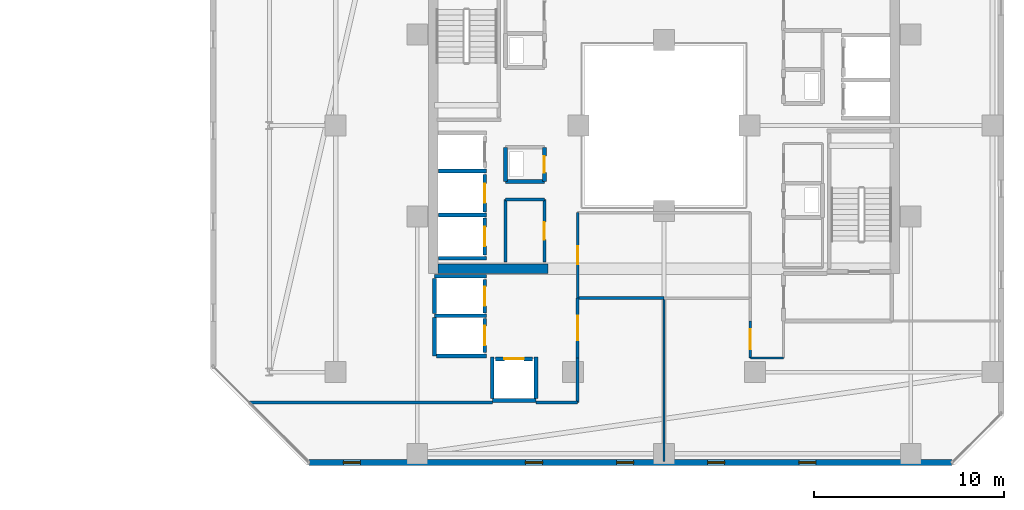
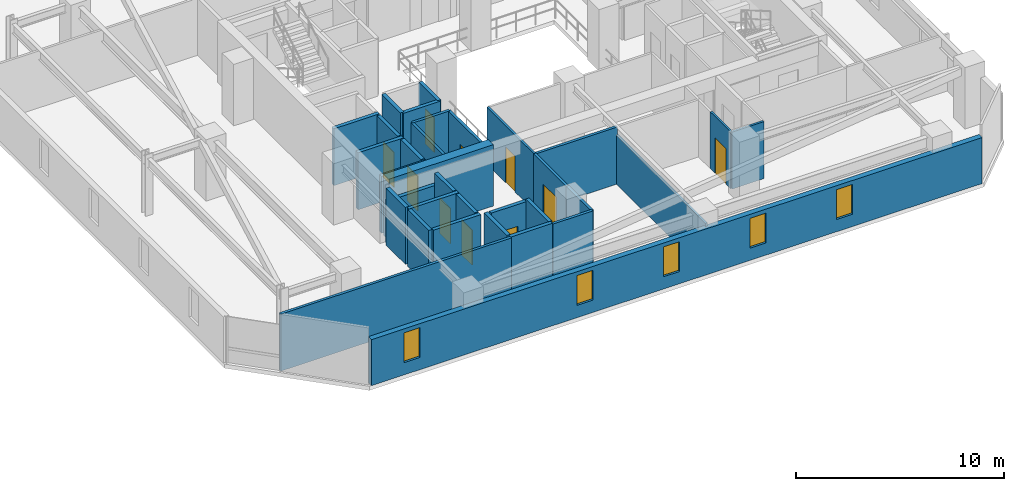
# One storey, part 23 of 33: 33 walls, 10 doors, 5 windows, 15 openings.
"""IFC4 building model written with IfcOpenShell, lengths in metres."""

from ifc_helpers import new_model, si_unit, direction, frame, frame_2d, origin, place, context, subcontext, project, spatial, rectangle, extrude, material, layer, layer_set, type_object, element, fill, save


model = new_model("IFC4")

# Units and contexts
model_context = context("Model", 3, precision=1e-05, world=origin(), true_north=direction((0.0, 1.0)))
body_context = subcontext(model_context, "Body", "Model", "MODEL_VIEW")
ifc_project = project(units=[si_unit("LENGTHUNIT", "METRE"), si_unit("AREAUNIT", "SQUARE_METRE"), si_unit("VOLUMEUNIT", "CUBIC_METRE"), si_unit("PLANEANGLEUNIT", "RADIAN"), si_unit("MASSUNIT", "GRAM", prefix="KILO")], contexts=[model_context])

# Site, building, storey
site_placement = place(None, origin())
site = spatial("IfcSite", under=ifc_project, at=site_placement, CompositionType="ELEMENT")
building_placement = place(site_placement, origin())
building = spatial("IfcBuilding", under=site, at=building_placement, Name="Thornwick Lancets Civic Towers", CompositionType="ELEMENT")
storey_placement = place(building_placement, frame((0.0, 0.0, 189.300048828125)))
storey = spatial("IfcBuildingStorey", under=building, at=storey_placement, Name="L50", CompositionType="ELEMENT", Elevation=189.300048828125)

# Wall, opening, door
ifc_material_1 = material(Name="Concrete blockwork C40/50", Category="masonry")
ifc_layer_1 = layer(ifc_material_1, 0.199951171875, Name="Concrete blockwork C40/50")
ifc_layer_set_1 = layer_set([ifc_layer_1], Name="Concrete blockwork C40/50")
wall_type_1 = type_object("IfcWallType", Name="WALL_COMP_200", PredefinedType="STANDARD", material=ifc_layer_set_1)
wall_1_placement = place(storey_placement, frame((79.050048828125, 22.429931640625, 0.0), z_axis=(0.0, 0.0, 1.0), x_axis=(0.0, 1.0, 0.0)))
wall_1 = element("IfcWall", 1, at=wall_1_placement, inside=storey, type_object=wall_type_1, Name="L50 Hoistway Front Wall PL-BH2", PredefinedType="STANDARD", context=body_context, shape_type="SweptSolid", body=[
    extrude(rectangle(XDim=1.989990234375, YDim=0.199951171875, at=frame_2d((0.9951171875, 0.0))), origin(), (0.0, 0.0, 1.0), 3.33984375),
])
opening_1_placement = place(wall_1_placement, frame((0.485107421875, 0.0, 0.0)))
opening_1 = element("IfcOpeningElement", 2, at=opening_1_placement, cuts=wall_1, Name="Opening LD-PL-BH2", PredefinedType="OPENING", context=body_context, shape_type="SweptSolid", body=[
    extrude(rectangle(XDim=1.02001953125, YDim=2.06005859375, at=frame_2d((0.510009765625, 1.030029296875))), frame((0.0, 0.10986328125, 0.0), z_axis=(0.0, -1.0, 0.0), x_axis=(1.0, 0.0, 0.0)), (0.0, 0.0, 1.0), 0.219970703125),
])
ifc_material_2 = material(Name="Brushed bronze stainless steel", Category="steel")
door_type_1 = type_object("IfcDoorType", Name="DOOR_LIFT_SLIDE", OperationType="SLIDING_TO_LEFT", PredefinedType="DOOR", material=ifc_material_2)
door_1_placement = place(opening_1_placement, origin())
door_1 = element("IfcDoor", 3, at=door_1_placement, inside=storey, type_object=door_type_1, Name="L50 Sliding Lift Landing Door LD-PL-BH2", OperationType="SLIDING_TO_LEFT", OverallHeight=2.06005859375, OverallWidth=1.02001953125, PredefinedType="DOOR", context=body_context, shape_type="SweptSolid", body=[
    extrude(rectangle(XDim=1.02001953125, YDim=2.06005859375, at=frame_2d((0.510009765625, 1.030029296875))), frame((0.0, 0.02490234375, 0.0), z_axis=(0.0, -1.0, 0.0), x_axis=(1.0, 0.0, 0.0)), (0.0, 0.0, 1.0), 0.050048828125),
])
fill(opening_1, door_1)

wall_2_placement = place(storey_placement, frame((79.050048828125, 20.179931640625, 0.0), z_axis=(0.0, 0.0, 1.0), x_axis=(0.0, 1.0, 0.0)))
wall_2 = element("IfcWall", 4, at=wall_2_placement, inside=storey, type_object=wall_type_1, Name="L50 Hoistway Front Wall PL-BH3", PredefinedType="STANDARD", context=body_context, shape_type="SweptSolid", body=[
    extrude(rectangle(XDim=1.940185546875, YDim=0.199951171875, at=frame_2d((0.97021484375, 0.0))), origin(), (0.0, 0.0, 1.0), 3.33984375),
])
opening_2_placement = place(wall_2_placement, frame((0.4599609375, 0.0, 0.0)))
opening_2 = element("IfcOpeningElement", 5, at=opening_2_placement, cuts=wall_2, Name="Opening LD-PL-BH3", PredefinedType="OPENING", context=body_context, shape_type="SweptSolid", body=[
    extrude(rectangle(XDim=1.02001953125, YDim=2.06005859375, at=frame_2d((0.510009765625, 1.030029296875))), frame((0.0, 0.10986328125, 0.0), z_axis=(0.0, -1.0, 0.0), x_axis=(1.0, 0.0, 0.0)), (0.0, 0.0, 1.0), 0.219970703125),
])
door_2_placement = place(opening_2_placement, origin())
door_2 = element("IfcDoor", 6, at=door_2_placement, inside=storey, type_object=door_type_1, Name="L50 Sliding Lift Landing Door LD-PL-BH3", OperationType="SLIDING_TO_LEFT", OverallHeight=2.06005859375, OverallWidth=1.02001953125, PredefinedType="DOOR", context=body_context, shape_type="SweptSolid", body=[
    extrude(rectangle(XDim=1.02001953125, YDim=2.06005859375, at=frame_2d((0.510009765625, 1.030029296875))), frame((0.0, 0.02490234375, 0.0), z_axis=(0.0, -1.0, 0.0), x_axis=(1.0, 0.0, 0.0)), (0.0, 0.0, 1.0), 0.050048828125),
])
fill(opening_2, door_2)

wall_3_placement = place(storey_placement, frame((79.050048828125, 17.1298828125, 0.0), z_axis=(0.0, 0.0, 1.0), x_axis=(0.0, 1.0, 0.0)))
wall_3 = element("IfcWall", 7, at=wall_3_placement, inside=storey, type_object=wall_type_1, Name="L50 Hoistway Front Wall PL-BM1", PredefinedType="STANDARD", context=body_context, shape_type="SweptSolid", body=[
    extrude(rectangle(XDim=1.740234375, YDim=0.199951171875, at=frame_2d((0.8701171875, 0.0))), origin(), (0.0, 0.0, 1.0), 3.33984375),
])
opening_3_placement = place(wall_3_placement, frame((0.360107421875, 0.0, 0.0)))
opening_3 = element("IfcOpeningElement", 8, at=opening_3_placement, cuts=wall_3, Name="Opening LD-PL-BM1", PredefinedType="OPENING", context=body_context, shape_type="SweptSolid", body=[
    extrude(rectangle(XDim=1.02001953125, YDim=2.06005859375, at=frame_2d((0.510009765625, 1.030029296875))), frame((0.0, 0.10986328125, 0.0), z_axis=(0.0, -1.0, 0.0), x_axis=(1.0, 0.0, 0.0)), (0.0, 0.0, 1.0), 0.219970703125),
])
door_3_placement = place(opening_3_placement, origin())
door_3 = element("IfcDoor", 9, at=door_3_placement, inside=storey, type_object=door_type_1, Name="L50 Sliding Lift Landing Door LD-PL-BM1", OperationType="SLIDING_TO_LEFT", OverallHeight=2.06005859375, OverallWidth=1.02001953125, PredefinedType="DOOR", context=body_context, shape_type="SweptSolid", body=[
    extrude(rectangle(XDim=1.02001953125, YDim=2.06005859375, at=frame_2d((0.510009765625, 1.030029296875))), frame((0.0, 0.02490234375, 0.0), z_axis=(0.0, -1.0, 0.0), x_axis=(1.0, 0.0, 0.0)), (0.0, 0.0, 1.0), 0.050048828125),
])
fill(opening_3, door_3)

wall_4_placement = place(storey_placement, frame((79.050048828125, 15.030029296875, 0.0), z_axis=(0.0, 0.0, 1.0), x_axis=(0.0, 1.0, 0.0)))
wall_4 = element("IfcWall", 10, at=wall_4_placement, inside=storey, type_object=wall_type_1, Name="L50 Hoistway Front Wall PL-BM2", PredefinedType="STANDARD", context=body_context, shape_type="SweptSolid", body=[
    extrude(rectangle(XDim=1.7900390625, YDim=0.199951171875, at=frame_2d((0.89501953125, 0.0))), origin(), (0.0, 0.0, 1.0), 3.33984375),
])
opening_4_placement = place(wall_4_placement, frame((0.385009765625, 0.0, 0.0)))
opening_4 = element("IfcOpeningElement", 11, at=opening_4_placement, cuts=wall_4, Name="Opening LD-PL-BM2", PredefinedType="OPENING", context=body_context, shape_type="SweptSolid", body=[
    extrude(rectangle(XDim=1.02001953125, YDim=2.06005859375, at=frame_2d((0.510009765625, 1.030029296875))), frame((0.0, 0.10986328125, 0.0), z_axis=(0.0, -1.0, 0.0), x_axis=(1.0, 0.0, 0.0)), (0.0, 0.0, 1.0), 0.219970703125),
])
door_4_placement = place(opening_4_placement, origin())
door_4 = element("IfcDoor", 12, at=door_4_placement, inside=storey, type_object=door_type_1, Name="L50 Sliding Lift Landing Door LD-PL-BM2", OperationType="SLIDING_TO_LEFT", OverallHeight=2.06005859375, OverallWidth=1.02001953125, PredefinedType="DOOR", context=body_context, shape_type="SweptSolid", body=[
    extrude(rectangle(XDim=1.02001953125, YDim=2.06005859375, at=frame_2d((0.510009765625, 1.030029296875))), frame((0.0, 0.02490234375, 0.0), z_axis=(0.0, -1.0, 0.0), x_axis=(1.0, 0.0, 0.0)), (0.0, 0.0, 1.0), 0.050048828125),
])
fill(opening_4, door_4)

wall_5_placement = place(storey_placement, frame((79.6298828125, 14.699951171875, 0.0), z_axis=(0.0, 0.0, 1.0), x_axis=(1.0, 0.0, 0.0)))
wall_5 = element("IfcWall", 13, at=wall_5_placement, inside=storey, type_object=wall_type_1, Name="L50 Hoistway Front Wall PL-BM3", PredefinedType="STANDARD", context=body_context, shape_type="SweptSolid", body=[
    extrude(rectangle(XDim=1.940185546875, YDim=0.199951171875, at=frame_2d((0.97021484375, 0.0))), origin(), (0.0, 0.0, 1.0), 3.33984375),
])
opening_5_placement = place(wall_5_placement, frame((0.4599609375, 0.0, 0.0)))
opening_5 = element("IfcOpeningElement", 14, at=opening_5_placement, cuts=wall_5, Name="Opening LD-PL-BM3", PredefinedType="OPENING", context=body_context, shape_type="SweptSolid", body=[
    extrude(rectangle(XDim=1.02001953125, YDim=2.06005859375, at=frame_2d((0.510009765625, 1.030029296875))), frame((0.0, 0.10986328125, 0.0), z_axis=(0.0, -1.0, 0.0), x_axis=(1.0, 0.0, 0.0)), (0.0, 0.0, 1.0), 0.219970703125),
])
door_5_placement = place(opening_5_placement, origin())
door_5 = element("IfcDoor", 15, at=door_5_placement, inside=storey, type_object=door_type_1, Name="L50 Sliding Lift Landing Door LD-PL-BM3", OperationType="SLIDING_TO_LEFT", OverallHeight=2.06005859375, OverallWidth=1.02001953125, PredefinedType="DOOR", context=body_context, shape_type="SweptSolid", body=[
    extrude(rectangle(XDim=1.02001953125, YDim=2.06005859375, at=frame_2d((0.510009765625, 1.030029296875))), frame((0.0, 0.02490234375, 0.0), z_axis=(0.0, -1.0, 0.0), x_axis=(1.0, 0.0, 0.0)), (0.0, 0.0, 1.0), 0.050048828125),
])
fill(opening_5, door_5)

# Walls
for number, where, z_axis, x_axis, name in (
    (16, (76.612060546875, 24.60009765625, 0.0), (0.0, 0.0, 1.0), (1.0, 0.0, 0.0), "L50 Hoistway Shaft Wall FL-B2 S"),
    (17, (76.612060546875, 22.27490234375, 0.0), (0.0, 0.0, 1.0), (1.0, 0.0, 0.0), "L50 Hoistway Shaft Wall PL-BH2 S"),
    (18, (76.612060546875, 20.0, 0.0), (0.0, 0.0, 1.0), (1.0, 0.0, 0.0), "L50 Hoistway Shaft Wall PL-BH3 S"),
):
    element("IfcWall", number, at=place(storey_placement, frame(where, z_axis=z_axis, x_axis=x_axis)), inside=storey, type_object=wall_type_1, Name=name, PredefinedType="STANDARD", context=body_context, shape_type="SweptSolid", body=[
        extrude(rectangle(XDim=2.535888671875, YDim=0.199951171875, at=frame_2d((1.26806640625, 0.0))), origin(), (0.0, 0.0, 1.0), 3.33984375),
    ])
wall_6_placement = place(storey_placement, frame((76.402099609375, 19.050048828125, 0.0), z_axis=(0.0, 0.0, 1.0), x_axis=(1.0, 0.0, 0.0)))
element("IfcWall", 19, at=wall_6_placement, inside=storey, type_object=wall_type_1, Name="L50 Hoistway Shaft Wall PL-BM1 N", PredefinedType="STANDARD", context=body_context, shape_type="SweptSolid", body=[
    extrude(rectangle(XDim=2.745849609375, YDim=0.199951171875, at=frame_2d((1.373046875, 0.0))), origin(), (0.0, 0.0, 1.0), 2.544921875),
])
wall_7_placement = place(storey_placement, frame((76.402099609375, 16.97509765625, 0.0), z_axis=(0.0, 0.0, 1.0), x_axis=(1.0, 0.0, 0.0)))
element("IfcWall", 20, at=wall_7_placement, inside=storey, type_object=wall_type_1, Name="L50 Hoistway Shaft Wall PL-BM1 S", PredefinedType="STANDARD", context=body_context, shape_type="SweptSolid", body=[
    extrude(rectangle(XDim=2.745849609375, YDim=0.199951171875, at=frame_2d((1.373046875, 0.0))), origin(), (0.0, 0.0, 1.0), 3.33984375),
])
wall_8_placement = place(storey_placement, frame((76.39990234375, 14.85205078125, 0.0), z_axis=(0.0, 0.0, 1.0), x_axis=(0.0, 1.0, 0.0)))
element("IfcWall", 21, at=wall_8_placement, inside=storey, type_object=wall_type_1, Name="L50 Hoistway Shaft Wall PL-BM1 W", PredefinedType="STANDARD", context=body_context, shape_type="SweptSolid", body=[
    extrude(rectangle(XDim=2.015869140625, YDim=0.199951171875, at=frame_2d((1.0078125, 0.0))), origin(), (0.0, 0.0, 1.0), 3.33984375),
])
wall_9_placement = place(storey_placement, frame((76.39990234375, 17.08203125, 0.0), z_axis=(0.0, 0.0, 1.0), x_axis=(0.0, 1.0, 0.0)))
element("IfcWall", 22, at=wall_9_placement, inside=storey, type_object=wall_type_1, Name="L50 Hoistway Shaft Wall PL-BM1 W", PredefinedType="STANDARD", context=body_context, shape_type="SweptSolid", body=[
    extrude(rectangle(XDim=1.85595703125, YDim=0.199951171875, at=frame_2d((0.927978515625, 0.0))), origin(), (0.0, 0.0, 1.0), 3.33984375),
])
wall_10_placement = place(storey_placement, frame((76.511962890625, 14.85009765625, 0.0), z_axis=(0.0, 0.0, 1.0), x_axis=(1.0, 0.0, 0.0)))
element("IfcWall", 23, at=wall_10_placement, inside=storey, type_object=wall_type_1, Name="L50 Hoistway Shaft Wall PL-BM2 S", PredefinedType="STANDARD", context=body_context, shape_type="SweptSolid", body=[
    extrude(rectangle(XDim=2.635986328125, YDim=0.199951171875, at=frame_2d((1.31787109375, 0.0))), origin(), (0.0, 0.0, 1.0), 3.33984375),
])
wall_11_placement = place(storey_placement, frame((79.451904296875, 12.5, 0.0), z_axis=(0.0, 0.0, 1.0), x_axis=(1.0, 0.0, 0.0)))
element("IfcWall", 24, at=wall_11_placement, inside=storey, type_object=wall_type_1, Name="L50 Hoistway Shaft Wall PL-BM3 S", PredefinedType="STANDARD", context=body_context, shape_type="SweptSolid", body=[
    extrude(rectangle(XDim=2.296142578125, YDim=0.199951171875, at=frame_2d((1.14794921875, 0.0))), origin(), (0.0, 0.0, 1.0), 3.33984375),
])
for number, where, z_axis, x_axis, name in (
    (25, (81.75, 12.612060546875, 0.0), (0.0, 0.0, 1.0), (0.0, 1.0, 0.0), "L50 Hoistway Shaft Wall PL-BM3 E"),
    (26, (79.449951171875, 12.612060546875, 0.0), (0.0, 0.0, 1.0), (0.0, 1.0, 0.0), "L50 Hoistway Shaft Wall PL-BM3 W"),
):
    element("IfcWall", number, at=place(storey_placement, frame(where, z_axis=z_axis, x_axis=x_axis)), inside=storey, type_object=wall_type_1, Name=name, PredefinedType="STANDARD", context=body_context, shape_type="SweptSolid", body=[
        extrude(rectangle(XDim=2.18603515625, YDim=0.199951171875, at=frame_2d((1.093017578125, 0.0))), origin(), (0.0, 0.0, 1.0), 3.33984375),
    ])
wall_12_placement = place(storey_placement, frame((80.14990234375, 24.050048828125, 0.0), z_axis=(0.0, 0.0, 1.0), x_axis=(1.0, 0.0, 0.0)))
element("IfcWall", 27, at=wall_12_placement, inside=storey, type_object=wall_type_1, Name="L50 Partition L50-B-DUCT2 E1", PredefinedType="STANDARD", context=body_context, shape_type="SweptSolid", body=[
    extrude(rectangle(XDim=2.050048828125, YDim=0.199951171875, at=frame_2d((1.02490234375, 0.0))), origin(), (0.0, 0.0, 1.0), 3.33984375),
])

# Wall, opening, door
wall_13_placement = place(storey_placement, frame((82.199951171875, 24.050048828125, 0.0), z_axis=(0.0, 0.0, 1.0), x_axis=(0.0, 1.0, 0.0)))
wall_13 = element("IfcWall", 28, at=wall_13_placement, inside=storey, type_object=wall_type_1, Name="L50 Partition L50-B-DUCT2 E2", PredefinedType="STANDARD", context=body_context, shape_type="SweptSolid", body=[
    extrude(rectangle(XDim=1.800048828125, YDim=0.199951171875, at=frame_2d((0.89990234375, 0.0))), origin(), (0.0, 0.0, 1.0), 3.33984375),
])
opening_6_placement = place(wall_13_placement, frame((0.4599609375, 0.0, 0.0)))
opening_6 = element("IfcOpeningElement", 29, at=opening_6_placement, cuts=wall_13, Name="Opening D-L50-2221", PredefinedType="OPENING", context=body_context, shape_type="SweptSolid", body=[
    extrude(rectangle(XDim=0.8798828125, YDim=2.0400390625, at=frame_2d((0.43994140625, 1.02001953125))), frame((0.0, 0.10986328125, 0.0), z_axis=(0.0, -1.0, 0.0), x_axis=(1.0, 0.0, 0.0)), (0.0, 0.0, 1.0), 0.219970703125),
])
ifc_material_3 = material(Name="Steel riser access doorset", Category="steel")
door_type_2 = type_object("IfcDoorType", Name="DOOR_RISER_850", OperationType="NOTDEFINED", PredefinedType="DOOR", material=ifc_material_3)
door_6_placement = place(opening_6_placement, origin())
door_6 = element("IfcDoor", 30, at=door_6_placement, inside=storey, type_object=door_type_2, Name="L50 West Service Duct 2 Door", OperationType="SINGLE_SWING_RIGHT", OverallHeight=2.0400390625, OverallWidth=0.8798828125, PredefinedType="DOOR", context=body_context, shape_type="SweptSolid", body=[
    extrude(rectangle(XDim=0.8798828125, YDim=2.0400390625, at=frame_2d((0.43994140625, 1.02001953125))), frame((0.0, 0.02490234375, 0.0), z_axis=(0.0, -1.0, 0.0), x_axis=(1.0, 0.0, 0.0)), (0.0, 0.0, 1.0), 0.050048828125),
])
fill(opening_6, door_6)

# Walls
wall_14_placement = place(storey_placement, frame((80.14990234375, 25.85009765625, 0.0), z_axis=(0.0, 0.0, 1.0), x_axis=(0.0, -1.0, 0.0)))
element("IfcWall", 31, at=wall_14_placement, inside=storey, type_object=wall_type_1, Name="L50 Partition L50-B-DUCT2 E4", PredefinedType="STANDARD", context=body_context, shape_type="SweptSolid", body=[
    extrude(rectangle(XDim=1.800048828125, YDim=0.199951171875, at=frame_2d((0.89990234375, 0.0))), origin(), (0.0, 0.0, 1.0), 3.33984375),
])
ifc_material_4 = material(Name="Concrete C50/60", Category="concrete")
ifc_layer_2 = layer(ifc_material_4, 0.5, Name="Concrete C50/60")
ifc_layer_set_2 = layer_set([ifc_layer_2], Name="Concrete C50/60")
wall_type_2 = type_object("IfcWallType", Name="WALL_CORE_500", PredefinedType="SHEAR", material=ifc_layer_set_2)
wall_15_placement = place(storey_placement, frame((76.60009765625, 19.449951171875, 0.0), z_axis=(0.0, 0.0, 1.0), x_axis=(1.0, 0.0, 0.0)))
element("IfcWall", 32, at=wall_15_placement, inside=storey, type_object=wall_type_2, Name="L50 Split Core B2 Shear Wall S", PredefinedType="SHEAR", context=body_context, shape_type="SweptSolid", body=[
    extrude(rectangle(XDim=5.7998046875, YDim=0.5, at=frame_2d((2.89990234375, 0.0))), origin(), (0.0, 0.0, 1.0), 3.599853515625),
])

# Wall, openings, windows
ifc_material_5 = material(Name="Insulated russet terracotta rainscreen on concrete C40/50", Category="masonry")
ifc_layer_3 = layer(ifc_material_5, 0.300048828125, Name="Insulated russet terracotta rainscreen on concrete C40/50")
ifc_layer_set_3 = layer_set([ifc_layer_3], Name="Insulated russet terracotta rainscreen on concrete C40/50")
wall_type_3 = type_object("IfcWallType", Name="WALL_EXT_RUSSET_300", PredefinedType="STANDARD", material=ifc_layer_set_3)
wall_16_placement = place(storey_placement, frame((69.800537109375, 9.24365234375, 0.0), z_axis=(0.0, 0.0, 1.0), x_axis=(0.999999969988, -0.000244999128, 0.0)))
wall_16 = element("IfcWall", 33, at=wall_16_placement, inside=storey, type_object=wall_type_3, Name="L50 Tower B Terracotta Facade Wall E0", PredefinedType="STANDARD", context=body_context, shape_type="SweptSolid", body=[
    extrude(rectangle(XDim=33.880859375, YDim=0.300048828125, at=frame_2d((16.9404296875, 0.0))), origin(), (0.0, 0.0, 1.0), 2.699951171875),
])
opening_7_placement = place(wall_16_placement, frame((1.800048828125, 0.0, 0.719970703125)))
opening_7 = element("IfcOpeningElement", 34, at=opening_7_placement, cuts=wall_16, Name="Opening WL-01", PredefinedType="OPENING", context=body_context, shape_type="SweptSolid", body=[
    extrude(rectangle(XDim=0.89990234375, YDim=1.75, at=frame_2d((0.449951171875, 0.875))), frame((0.0, 0.16015625, 0.0), z_axis=(0.0, -1.0, 0.0), x_axis=(1.0, 0.0, 0.0)), (0.0, 0.0, 1.0), 0.320068359375),
])
opening_8_placement = place(wall_16_placement, frame((11.39990234375, 0.0, 0.719970703125)))
opening_8 = element("IfcOpeningElement", 35, at=opening_8_placement, cuts=wall_16, Name="Opening WL-01", PredefinedType="OPENING", context=body_context, shape_type="SweptSolid", body=[
    extrude(rectangle(XDim=0.89990234375, YDim=1.75, at=frame_2d((0.449951171875, 0.875))), frame((0.0, 0.16015625, 0.0), z_axis=(0.0, -1.0, 0.0), x_axis=(1.0, 0.0, 0.0)), (0.0, 0.0, 1.0), 0.320068359375),
])
opening_9_placement = place(wall_16_placement, frame((16.199951171875, 0.0, 0.719970703125)))
opening_9 = element("IfcOpeningElement", 36, at=opening_9_placement, cuts=wall_16, Name="Opening WL-01", PredefinedType="OPENING", context=body_context, shape_type="SweptSolid", body=[
    extrude(rectangle(XDim=0.89990234375, YDim=1.75, at=frame_2d((0.449951171875, 0.875))), frame((0.0, 0.16015625, 0.0), z_axis=(0.0, -1.0, 0.0), x_axis=(1.0, 0.0, 0.0)), (0.0, 0.0, 1.0), 0.320068359375),
])
opening_10_placement = place(wall_16_placement, frame((21.0, 0.0, 0.719970703125)))
opening_10 = element("IfcOpeningElement", 37, at=opening_10_placement, cuts=wall_16, Name="Opening WL-01", PredefinedType="OPENING", context=body_context, shape_type="SweptSolid", body=[
    extrude(rectangle(XDim=0.89990234375, YDim=1.75, at=frame_2d((0.449951171875, 0.875))), frame((0.0, 0.16015625, 0.0), z_axis=(0.0, -1.0, 0.0), x_axis=(1.0, 0.0, 0.0)), (0.0, 0.0, 1.0), 0.320068359375),
])
opening_11_placement = place(wall_16_placement, frame((25.800048828125, 0.0, 0.719970703125)))
opening_11 = element("IfcOpeningElement", 38, at=opening_11_placement, cuts=wall_16, Name="Opening WL-01", PredefinedType="OPENING", context=body_context, shape_type="SweptSolid", body=[
    extrude(rectangle(XDim=0.89990234375, YDim=1.75, at=frame_2d((0.449951171875, 0.875))), frame((0.0, 0.16015625, 0.0), z_axis=(0.0, -1.0, 0.0), x_axis=(1.0, 0.0, 0.0)), (0.0, 0.0, 1.0), 0.320068359375),
])
ifc_material_6 = material(Name="Clear low-e double glazing in bronze frame", Category="glass")
window_type = type_object("IfcWindowType", Name="WIN_LANCET_900", PartitioningType="SINGLE_PANEL", PredefinedType="WINDOW", material=ifc_material_6)
window_1_placement = place(opening_7_placement, origin())
window_1 = element("IfcWindow", 39, at=window_1_placement, inside=storey, type_object=window_type, Name="L50 Tower B Staggered Lancet Window E0-1", OverallHeight=1.75, OverallWidth=0.89990234375, PartitioningType="SINGLE_PANEL", PredefinedType="WINDOW", context=body_context, shape_type="SweptSolid", body=[
    extrude(rectangle(XDim=0.89990234375, YDim=1.75, at=frame_2d((0.449951171875, 0.875))), frame((0.0, 0.030029296875, 0.0), z_axis=(0.0, -1.0, 0.0), x_axis=(1.0, 0.0, 0.0)), (0.0, 0.0, 1.0), 0.06005859375),
])
fill(opening_7, window_1)
window_2_placement = place(opening_8_placement, origin())
window_2 = element("IfcWindow", 40, at=window_2_placement, inside=storey, type_object=window_type, Name="L50 Tower B Staggered Lancet Window E0-2", OverallHeight=1.75, OverallWidth=0.89990234375, PartitioningType="SINGLE_PANEL", PredefinedType="WINDOW", context=body_context, shape_type="SweptSolid", body=[
    extrude(rectangle(XDim=0.89990234375, YDim=1.75, at=frame_2d((0.449951171875, 0.875))), frame((0.0, 0.030029296875, 0.0), z_axis=(0.0, -1.0, 0.0), x_axis=(1.0, 0.0, 0.0)), (0.0, 0.0, 1.0), 0.06005859375),
])
fill(opening_8, window_2)
window_3_placement = place(opening_9_placement, origin())
window_3 = element("IfcWindow", 41, at=window_3_placement, inside=storey, type_object=window_type, Name="L50 Tower B Staggered Lancet Window E0-3", OverallHeight=1.75, OverallWidth=0.89990234375, PartitioningType="SINGLE_PANEL", PredefinedType="WINDOW", context=body_context, shape_type="SweptSolid", body=[
    extrude(rectangle(XDim=0.89990234375, YDim=1.75, at=frame_2d((0.449951171875, 0.875))), frame((0.0, 0.030029296875, 0.0), z_axis=(0.0, -1.0, 0.0), x_axis=(1.0, 0.0, 0.0)), (0.0, 0.0, 1.0), 0.06005859375),
])
fill(opening_9, window_3)
window_4_placement = place(opening_10_placement, origin())
window_4 = element("IfcWindow", 42, at=window_4_placement, inside=storey, type_object=window_type, Name="L50 Tower B Staggered Lancet Window E0-4", OverallHeight=1.75, OverallWidth=0.89990234375, PartitioningType="SINGLE_PANEL", PredefinedType="WINDOW", context=body_context, shape_type="SweptSolid", body=[
    extrude(rectangle(XDim=0.89990234375, YDim=1.75, at=frame_2d((0.449951171875, 0.875))), frame((0.0, 0.030029296875, 0.0), z_axis=(0.0, -1.0, 0.0), x_axis=(1.0, 0.0, 0.0)), (0.0, 0.0, 1.0), 0.06005859375),
])
fill(opening_10, window_4)
window_5_placement = place(opening_11_placement, origin())
window_5 = element("IfcWindow", 43, at=window_5_placement, inside=storey, type_object=window_type, Name="L50 Tower B Staggered Lancet Window E0-5", OverallHeight=1.75, OverallWidth=0.89990234375, PartitioningType="SINGLE_PANEL", PredefinedType="WINDOW", context=body_context, shape_type="SweptSolid", body=[
    extrude(rectangle(XDim=0.89990234375, YDim=1.75, at=frame_2d((0.449951171875, 0.875))), frame((0.0, 0.030029296875, 0.0), z_axis=(0.0, -1.0, 0.0), x_axis=(1.0, 0.0, 0.0)), (0.0, 0.0, 1.0), 0.06005859375),
])
fill(opening_11, window_5)

# Wall
ifc_material_7 = material(Name="Acoustic gypsum board partition")
ifc_layer_4 = layer(ifc_material_7, 0.1201171875, Name="Acoustic gypsum board partition")
ifc_layer_set_4 = layer_set([ifc_layer_4], Name="Acoustic gypsum board partition")
wall_type_4 = type_object("IfcWallType", Name="WALL_PART_120", PredefinedType="PARTITIONING", material=ifc_layer_set_4)
wall_17_placement = place(storey_placement, frame((88.5, 9.280029296875, 0.0), z_axis=(0.0, 0.0, 1.0), x_axis=(0.0, 1.0, 0.0)))
element("IfcWall", 44, at=wall_17_placement, inside=storey, type_object=wall_type_4, Name="L50 Partition L50-B-W1 E2", PredefinedType="PARTITIONING", context=body_context, shape_type="SweptSolid", body=[
    extrude(rectangle(XDim=8.619873046875, YDim=0.1201171875, at=frame_2d((4.31005859375, 0.0))), origin(), (0.0, 0.0, 1.0), 2.877685546875),
])

# Wall, opening, door
wall_18_placement = place(storey_placement, frame((93.050048828125, 16.699951171875, 0.0), z_axis=(0.0, 0.0, 1.0), x_axis=(0.0, -1.0, 0.0)))
wall_18 = element("IfcWall", 45, at=wall_18_placement, inside=storey, type_object=wall_type_4, Name="L50 Partition L50-B-W1 E5", PredefinedType="PARTITIONING", context=body_context, shape_type="SweptSolid", body=[
    extrude(rectangle(XDim=1.949951171875, YDim=0.1201171875, at=frame_2d((0.97509765625, 0.0))), origin(), (0.0, 0.0, 1.0), 3.33984375),
])
opening_12_placement = place(wall_18_placement, frame((0.449951171875, 0.0, 0.0)))
opening_12 = element("IfcOpeningElement", 46, at=opening_12_placement, cuts=wall_18, Name="Opening D-L50-2240", PredefinedType="OPENING", context=body_context, shape_type="SweptSolid", body=[
    extrude(rectangle(XDim=1.050048828125, YDim=2.10009765625, at=frame_2d((0.52490234375, 1.050048828125))), frame((0.0, 0.070068359375, 0.0), z_axis=(0.0, -1.0, 0.0), x_axis=(1.0, 0.0, 0.0)), (0.0, 0.0, 1.0), 0.14013671875),
])
ifc_material_8 = material(Name="Glazed European oak executive doorset")
door_type_3 = type_object("IfcDoorType", Name="DOOR_OFFICE_1050", OperationType="NOTDEFINED", PredefinedType="DOOR", material=ifc_material_8)
door_7_placement = place(opening_12_placement, origin())
door_7 = element("IfcDoor", 47, at=door_7_placement, inside=storey, type_object=door_type_3, Name="L50 Tower B Ministry Directorate Office W1 Door", OperationType="SINGLE_SWING_LEFT", OverallHeight=2.10009765625, OverallWidth=1.050048828125, PredefinedType="DOOR", context=body_context, shape_type="SweptSolid", body=[
    extrude(rectangle(XDim=1.050048828125, YDim=2.10009765625, at=frame_2d((0.52490234375, 1.050048828125))), frame((0.0, 0.02490234375, 0.0), z_axis=(0.0, -1.0, 0.0), x_axis=(1.0, 0.0, 0.0)), (0.0, 0.0, 1.0), 0.050048828125),
])
fill(opening_12, door_7)

# Wall
wall_19_placement = place(storey_placement, frame((93.050048828125, 14.75, 0.0), z_axis=(0.0, 0.0, 1.0), x_axis=(1.0, 0.0, 0.0)))
element("IfcWall", 48, at=wall_19_placement, inside=storey, type_object=wall_type_4, Name="L50 Partition L50-B-W1 E6", PredefinedType="PARTITIONING", context=body_context, shape_type="SweptSolid", body=[
    extrude(rectangle(XDim=1.75, YDim=0.1201171875, at=frame_2d((0.875, 0.0))), origin(), (0.0, 0.0, 1.0), 3.33984375),
])

# Wall, opening, door
wall_20_placement = place(storey_placement, frame((83.949951171875, 17.89990234375, 0.0), z_axis=(0.0, 0.0, 1.0), x_axis=(0.0, 1.0, 0.0)))
wall_20 = element("IfcWall", 49, at=wall_20_placement, inside=storey, type_object=wall_type_4, Name="L50 Partition L50-B-W3 E1", PredefinedType="PARTITIONING", context=body_context, shape_type="SweptSolid", body=[
    extrude(rectangle(XDim=4.5, YDim=0.1201171875, at=frame_2d((2.25, 0.0))), origin(), (0.0, 0.0, 1.0), 3.33984375),
])
opening_13_placement = place(wall_20_placement, frame((1.77490234375, 0.0, 0.0)))
opening_13 = element("IfcOpeningElement", 50, at=opening_13_placement, cuts=wall_20, Name="Opening D-L50-2242", PredefinedType="OPENING", context=body_context, shape_type="SweptSolid", body=[
    extrude(rectangle(XDim=0.949951171875, YDim=2.10009765625, at=frame_2d((0.47509765625, 1.050048828125))), frame((0.0, 0.070068359375, 0.0), z_axis=(0.0, -1.0, 0.0), x_axis=(1.0, 0.0, 0.0)), (0.0, 0.0, 1.0), 0.14013671875),
])
ifc_material_9 = material(Name="European oak acoustic doorset")
door_type_4 = type_object("IfcDoorType", Name="DOOR_OFFICE_950", OperationType="NOTDEFINED", PredefinedType="DOOR", material=ifc_material_9)
door_8_placement = place(opening_13_placement, origin())
door_8 = element("IfcDoor", 51, at=door_8_placement, inside=storey, type_object=door_type_4, Name="L50 Tower B West Atrium Reading Lounge Door", OperationType="SINGLE_SWING_LEFT", OverallHeight=2.10009765625, OverallWidth=0.949951171875, PredefinedType="DOOR", context=body_context, shape_type="SweptSolid", body=[
    extrude(rectangle(XDim=0.949951171875, YDim=2.10009765625, at=frame_2d((0.47509765625, 1.050048828125))), frame((0.0, 0.02490234375, 0.0), z_axis=(0.0, -1.0, 0.0), x_axis=(1.0, 0.0, 0.0)), (0.0, 0.0, 1.0), 0.050048828125),
])
fill(opening_13, door_8)

ifc_material_10 = material(Name="Twin-stud acoustic gypsum board")
ifc_layer_5 = layer(ifc_material_10, 0.14990234375, Name="Twin-stud acoustic gypsum board")
ifc_layer_set_5 = layer_set([ifc_layer_5], Name="Twin-stud acoustic gypsum board")
wall_type_5 = type_object("IfcWallType", Name="WALL_PART_150", PredefinedType="PARTITIONING", material=ifc_layer_set_5)
wall_21_placement = place(storey_placement, frame((82.199951171875, 19.800048828125, 0.0), z_axis=(0.0, 0.0, 1.0), x_axis=(0.0, 1.0, 0.0)))
wall_21 = element("IfcWall", 52, at=wall_21_placement, inside=storey, type_object=wall_type_5, Name="L50 Partition L50-B-MWC E2", PredefinedType="PARTITIONING", context=body_context, shape_type="SweptSolid", body=[
    extrude(rectangle(XDim=3.300048828125, YDim=0.14990234375, at=frame_2d((1.64990234375, 0.0))), origin(), (0.0, 0.0, 1.0), 3.33984375),
])
opening_14_placement = place(wall_21_placement, frame((1.18994140625, 0.0, 0.0)))
opening_14 = element("IfcOpeningElement", 53, at=opening_14_placement, cuts=wall_21, Name="Opening D-L50-2227", PredefinedType="OPENING", context=body_context, shape_type="SweptSolid", body=[
    extrude(rectangle(XDim=0.919921875, YDim=2.080078125, at=frame_2d((0.4599609375, 1.0400390625))), frame((0.0, 0.0849609375, 0.0), z_axis=(0.0, -1.0, 0.0), x_axis=(1.0, 0.0, 0.0)), (0.0, 0.0, 1.0), 0.169921875),
])
ifc_material_11 = material(Name="Moisture-resistant oak doorset")
door_type_5 = type_object("IfcDoorType", Name="DOOR_WC_900", OperationType="NOTDEFINED", PredefinedType="DOOR", material=ifc_material_11)
door_9_placement = place(opening_14_placement, origin())
door_9 = element("IfcDoor", 54, at=door_9_placement, inside=storey, type_object=door_type_5, Name="L50 Tower B Male WC Door", OperationType="SINGLE_SWING_RIGHT", OverallHeight=2.080078125, OverallWidth=0.919921875, PredefinedType="DOOR", context=body_context, shape_type="SweptSolid", body=[
    extrude(rectangle(XDim=0.919921875, YDim=2.080078125, at=frame_2d((0.4599609375, 1.0400390625))), frame((0.0, 0.02490234375, 0.0), z_axis=(0.0, -1.0, 0.0), x_axis=(1.0, 0.0, 0.0)), (0.0, 0.0, 1.0), 0.050048828125),
])
fill(opening_14, door_9)

# Walls
wall_22_placement = place(storey_placement, frame((82.199951171875, 23.10009765625, 0.0), z_axis=(0.0, 0.0, 1.0), x_axis=(-1.0, 0.0, 0.0)))
element("IfcWall", 55, at=wall_22_placement, inside=storey, type_object=wall_type_5, Name="L50 Partition L50-B-MWC E3", PredefinedType="PARTITIONING", context=body_context, shape_type="SweptSolid", body=[
    extrude(rectangle(XDim=2.050048828125, YDim=0.14990234375, at=frame_2d((1.02490234375, 0.0))), origin(), (0.0, 0.0, 1.0), 3.33984375),
])
wall_23_placement = place(storey_placement, frame((80.14990234375, 23.10009765625, 0.0), z_axis=(0.0, 0.0, 1.0), x_axis=(0.0, -1.0, 0.0)))
element("IfcWall", 56, at=wall_23_placement, inside=storey, type_object=wall_type_5, Name="L50 Partition L50-B-MWC E4", PredefinedType="PARTITIONING", context=body_context, shape_type="SweptSolid", body=[
    extrude(rectangle(XDim=3.300048828125, YDim=0.14990234375, at=frame_2d((1.64990234375, 0.0))), origin(), (0.0, 0.0, 1.0), 3.33984375),
])

# Wall, opening, door
wall_24_placement = place(storey_placement, frame((83.949951171875, 14.75, 0.0), z_axis=(0.0, 0.0, 1.0), x_axis=(0.0, 1.0, 0.0)))
wall_24 = element("IfcWall", 57, at=wall_24_placement, inside=storey, type_object=wall_type_5, Name="L50 Partition L50-B-W2 E1", PredefinedType="PARTITIONING", context=body_context, shape_type="SweptSolid", body=[
    extrude(rectangle(XDim=3.14990234375, YDim=0.14990234375, at=frame_2d((1.574951171875, 0.0))), origin(), (0.0, 0.0, 1.0), 3.33984375),
])
opening_15_placement = place(wall_24_placement, frame((0.925048828125, 0.0, 0.0)))
opening_15 = element("IfcOpeningElement", 58, at=opening_15_placement, cuts=wall_24, Name="Opening D-L50-2241", PredefinedType="OPENING", context=body_context, shape_type="SweptSolid", body=[
    extrude(rectangle(XDim=1.300048828125, YDim=2.1201171875, at=frame_2d((0.64990234375, 1.06005859375))), frame((0.0, 0.0849609375, 0.0), z_axis=(0.0, -1.0, 0.0), x_axis=(1.0, 0.0, 0.0)), (0.0, 0.0, 1.0), 0.169921875),
])
ifc_material_12 = material(Name="Acoustic oak leaf-and-a-half doorset")
door_type_6 = type_object("IfcDoorType", Name="DOOR_MEET_1300", OperationType="DOUBLE_DOOR_SINGLE_SWING", PredefinedType="DOOR", material=ifc_material_12)
door_10_placement = place(opening_15_placement, origin())
door_10 = element("IfcDoor", 59, at=door_10_placement, inside=storey, type_object=door_type_6, Name="L50 Tower B Policy Briefing Room W2 Door", OperationType="DOUBLE_DOOR_SINGLE_SWING", OverallHeight=2.1201171875, OverallWidth=1.300048828125, PredefinedType="DOOR", context=body_context, shape_type="SweptSolid", body=[
    extrude(rectangle(XDim=1.300048828125, YDim=2.1201171875, at=frame_2d((0.64990234375, 1.06005859375))), frame((0.0, 0.02490234375, 0.0), z_axis=(0.0, -1.0, 0.0), x_axis=(1.0, 0.0, 0.0)), (0.0, 0.0, 1.0), 0.050048828125),
])
fill(opening_15, door_10)

# Walls
wall_25_placement = place(storey_placement, frame((83.949951171875, 17.89990234375, 0.0), z_axis=(0.0, 0.0, 1.0), x_axis=(1.0, 0.0, 0.0)))
element("IfcWall", 60, at=wall_25_placement, inside=storey, type_object=wall_type_5, Name="L50 Partition L50-B-W2 E2", PredefinedType="PARTITIONING", context=body_context, shape_type="SweptSolid", body=[
    extrude(rectangle(XDim=4.550048828125, YDim=0.14990234375, at=frame_2d((2.27490234375, 0.0))), origin(), (0.0, 0.0, 1.0), 3.33984375),
])
wall_26_placement = place(storey_placement, frame((66.646484375, 12.39990234375, 0.0), z_axis=(0.0, 0.0, 1.0), x_axis=(1.0, 0.0, 0.0)))
element("IfcWall", 61, at=wall_26_placement, inside=storey, type_object=wall_type_5, Name="L50 Partition L50-B-W2 E6", PredefinedType="PARTITIONING", context=body_context, shape_type="SweptSolid", body=[
    extrude(rectangle(XDim=12.805419921875, YDim=0.14990234375, at=frame_2d((6.40283203125, 0.0))), origin(), (0.0, 0.0, 1.0), 3.33984375),
])
wall_27_placement = place(storey_placement, frame((81.748046875, 12.39990234375, 0.0), z_axis=(0.0, 0.0, 1.0), x_axis=(1.0, 0.0, 0.0)))
element("IfcWall", 62, at=wall_27_placement, inside=storey, type_object=wall_type_5, Name="L50 Partition L50-B-W2 E6", PredefinedType="PARTITIONING", context=body_context, shape_type="SweptSolid", body=[
    extrude(rectangle(XDim=2.201904296875, YDim=0.14990234375, at=frame_2d((1.10107421875, 0.0))), origin(), (0.0, 0.0, 1.0), 3.33984375),
])
wall_28_placement = place(storey_placement, frame((83.949951171875, 12.39990234375, 0.0), z_axis=(0.0, 0.0, 1.0), x_axis=(0.0, 1.0, 0.0)))
element("IfcWall", 63, at=wall_28_placement, inside=storey, type_object=wall_type_5, Name="L50 Partition L50-B-W2 E7", PredefinedType="PARTITIONING", context=body_context, shape_type="SweptSolid", body=[
    extrude(rectangle(XDim=2.35009765625, YDim=0.14990234375, at=frame_2d((1.175048828125, 0.0))), origin(), (0.0, 0.0, 1.0), 3.33984375),
])

save(model, "model.ifc")
